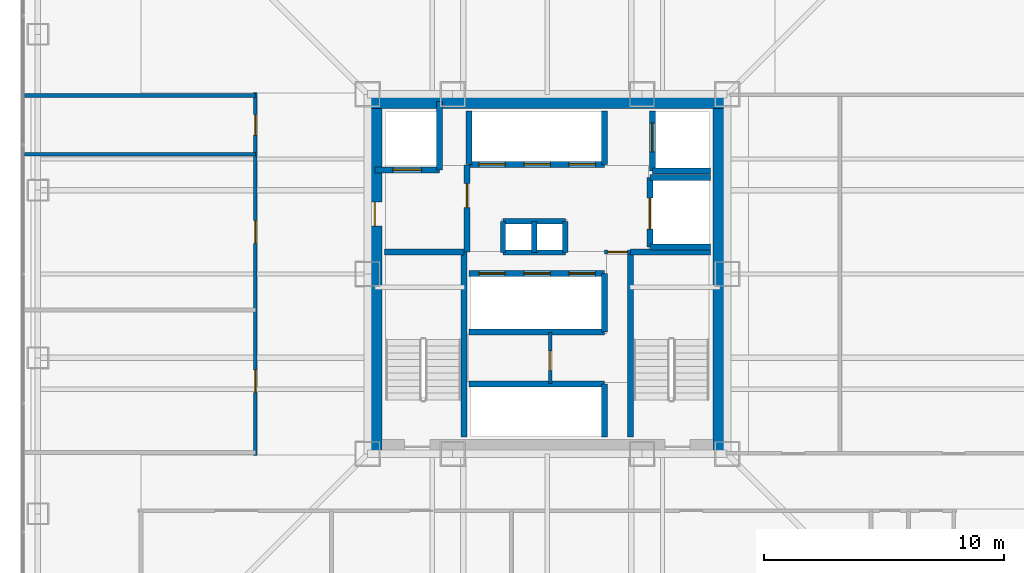
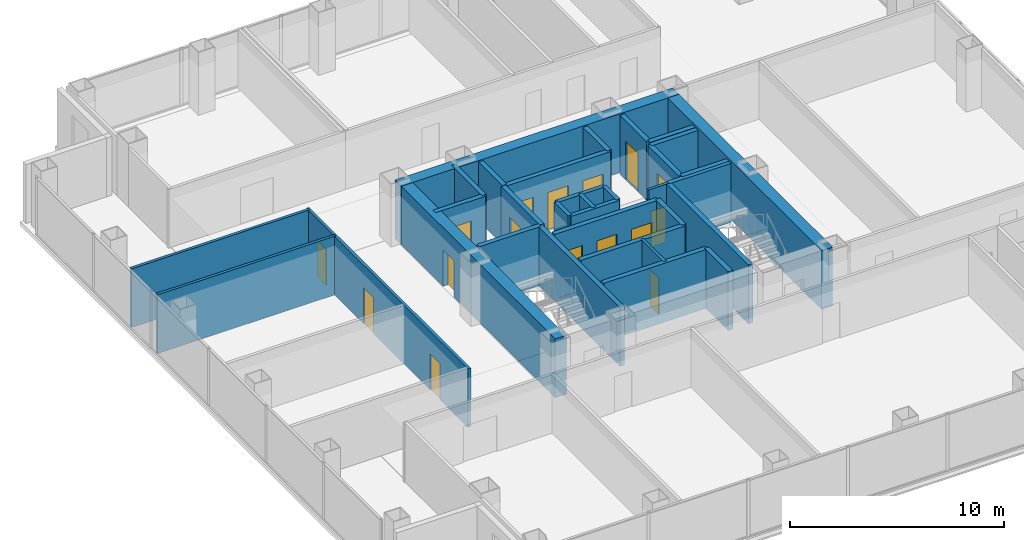
# One storey, part 10 of 14: 33 walls, 16 doors, 16 openings.
"""IFC4 building model written with IfcOpenShell, lengths in metres."""

from ifc_helpers import new_model, si_unit, direction, frame, frame_2d, origin, place, context, subcontext, project, spatial, rectangle, extrude, material, layer, layer_set, type_object, element, fill, save


model = new_model("IFC4")

# Units and contexts
model_context = context("Model", 3, precision=1e-05, world=origin(), true_north=direction((0.0, 1.0)))
body_context = subcontext(model_context, "Body", "Model", "MODEL_VIEW")
ifc_project = project(units=[si_unit("LENGTHUNIT", "METRE"), si_unit("AREAUNIT", "SQUARE_METRE"), si_unit("VOLUMEUNIT", "CUBIC_METRE"), si_unit("PLANEANGLEUNIT", "RADIAN"), si_unit("MASSUNIT", "GRAM", prefix="KILO")], contexts=[model_context])

# Site, building, storey
site_placement = place(None, origin())
site = spatial("IfcSite", under=ifc_project, at=site_placement, CompositionType="ELEMENT")
building_placement = place(site_placement, origin())
building = spatial("IfcBuilding", under=site, at=building_placement, Name="Trevonay Congress Spire", CompositionType="ELEMENT")
storey_placement = place(building_placement, frame((0.0, 0.0, 97.60009765625)))
storey = spatial("IfcBuildingStorey", under=building, at=storey_placement, Name="L24", CompositionType="ELEMENT", Elevation=97.60009765625)

# Wall
ifc_material_1 = material(Name="Concrete C60/75", Category="concrete")
ifc_layer_1 = layer(ifc_material_1, 0.60009765625, Name="Concrete C60/75")
ifc_layer_set_1 = layer_set([ifc_layer_1], Name="Concrete C60/75")
wall_type_1 = type_object("IfcWallType", Name="WAL-CORE-600", PredefinedType="SHEAR", material=ifc_layer_set_1)
wall_1_placement = place(storey_placement, frame((-7.5, 7.199951171875, 0.0), z_axis=(0.0, 0.0, 1.0), x_axis=(1.0, 0.0, 0.0)))
element("IfcWall", 1, at=wall_1_placement, inside=storey, type_object=wall_type_1, Name="L24 North structural core shear wall", PredefinedType="SHEAR", context=body_context, shape_type="SweptSolid", body=[
    extrude(rectangle(XDim=15.0, YDim=0.60009765625, at=frame_2d((7.5, 0.0))), origin(), (0.0, 0.0, 1.0), 3.35986328125),
])

# Wall, opening, door
wall_2_placement = place(storey_placement, frame((-7.199951171875, -7.5, 0.0), z_axis=(0.0, 0.0, 1.0), x_axis=(0.0, 1.0, 0.0)))
wall_2 = element("IfcWall", 2, at=wall_2_placement, inside=storey, type_object=wall_type_1, Name="L24 West structural core shear wall", PredefinedType="SHEAR", context=body_context, shape_type="SweptSolid", body=[
    extrude(rectangle(XDim=15.0, YDim=0.60009765625, at=frame_2d((7.5, 0.0))), origin(), (0.0, 0.0, 1.0), 3.35986328125),
])
opening_1_placement = place(wall_2_placement, frame((9.5, 0.0, 0.0)))
opening_1 = element("IfcOpeningElement", 3, at=opening_1_placement, cuts=wall_2, Name="Opening D06", PredefinedType="OPENING", context=body_context, shape_type="SweptSolid", body=[
    extrude(rectangle(XDim=1.0, YDim=2.080078125, at=frame_2d((0.5, 1.0400390625))), frame((0.0, 0.31005859375, 0.0), z_axis=(0.0, -1.0, 0.0), x_axis=(1.0, 0.0, 0.0)), (0.0, 0.0, 1.0), 0.6201171875),
])
ifc_material_2 = material(Name="Steel ASTM A572 Grade 50", Category="steel")
door_type_1 = type_object("IfcDoorType", Name="DOR-FIRE-100", OperationType="NOTDEFINED", PredefinedType="DOOR", material=ifc_material_2)
door_1_placement = place(opening_1_placement, origin())
door_1 = element("IfcDoor", 4, at=door_1_placement, inside=storey, type_object=door_type_1, Name="L24 Firefighting Lift Lobby West Corridor Door", OperationType="SINGLE_SWING_LEFT", OverallHeight=2.080078125, OverallWidth=1.0, PredefinedType="DOOR", context=body_context, shape_type="SweptSolid", body=[
    extrude(rectangle(XDim=1.0, YDim=2.080078125, at=frame_2d((0.5, 1.0400390625))), frame((0.0, 0.02490234375, 0.0), z_axis=(0.0, -1.0, 0.0), x_axis=(1.0, 0.0, 0.0)), (0.0, 0.0, 1.0), 0.050048828125),
])
fill(opening_1, door_1)

# Wall
wall_3_placement = place(storey_placement, frame((7.199951171875, -7.5, 0.0), z_axis=(0.0, 0.0, 1.0), x_axis=(0.0, 1.0, 0.0)))
element("IfcWall", 5, at=wall_3_placement, inside=storey, type_object=wall_type_1, Name="L24 East structural core shear wall", PredefinedType="SHEAR", context=body_context, shape_type="SweptSolid", body=[
    extrude(rectangle(XDim=15.0, YDim=0.60009765625, at=frame_2d((7.5, 0.0))), origin(), (0.0, 0.0, 1.0), 3.35986328125),
])

# Wall, openings, doors
ifc_material_3 = material(Name="Concrete C40/50", Category="concrete")
ifc_layer_2 = layer(ifc_material_3, 0.14990234375, Name="Concrete C40/50")
ifc_layer_set_2 = layer_set([ifc_layer_2], Name="Concrete C40/50")
wall_type_2 = type_object("IfcWallType", Name="WAL-CORR-150", PredefinedType="PARTITIONING", material=ifc_layer_set_2)
wall_4_placement = place(storey_placement, frame((-12.179931640625, -7.570068359375, 0.0), z_axis=(0.0, 0.0, 1.0), x_axis=(0.0, 1.0, 0.0)))
wall_4 = element("IfcWall", 6, at=wall_4_placement, inside=storey, type_object=wall_type_2, Name="L24 interior wall WP-L24W-COR", PredefinedType="PARTITIONING", context=body_context, shape_type="SweptSolid", body=[
    extrude(rectangle(XDim=15.14013671875, YDim=0.14990234375, at=frame_2d((7.570068359375, 0.0))), origin(), (0.0, 0.0, 1.0), 3.35986328125),
])
opening_2_placement = place(wall_4_placement, frame((2.6201171875, 0.0, 0.0)))
opening_2 = element("IfcOpeningElement", 7, at=opening_2_placement, cuts=wall_4, Name="Opening D07", PredefinedType="OPENING", context=body_context, shape_type="SweptSolid", body=[
    extrude(rectangle(XDim=0.949951171875, YDim=2.06005859375, at=frame_2d((0.47509765625, 1.030029296875))), frame((0.0, 0.0849609375, 0.0), z_axis=(0.0, -1.0, 0.0), x_axis=(1.0, 0.0, 0.0)), (0.0, 0.0, 1.0), 0.169921875),
])
opening_3_placement = place(wall_4_placement, frame((8.844970703125, 0.0, 0.0)))
opening_3 = element("IfcOpeningElement", 8, at=opening_3_placement, cuts=wall_4, Name="Opening D07", PredefinedType="OPENING", context=body_context, shape_type="SweptSolid", body=[
    extrude(rectangle(XDim=0.949951171875, YDim=2.06005859375, at=frame_2d((0.47509765625, 1.030029296875))), frame((0.0, 0.0849609375, 0.0), z_axis=(0.0, -1.0, 0.0), x_axis=(1.0, 0.0, 0.0)), (0.0, 0.0, 1.0), 0.169921875),
])
opening_4_placement = place(wall_4_placement, frame((13.3701171875, 0.0, 0.0)))
opening_4 = element("IfcOpeningElement", 9, at=opening_4_placement, cuts=wall_4, Name="Opening D10", PredefinedType="OPENING", context=body_context, shape_type="SweptSolid", body=[
    extrude(rectangle(XDim=0.85009765625, YDim=2.050048828125, at=frame_2d((0.425048828125, 1.02490234375))), frame((0.0, 0.0849609375, 0.0), z_axis=(0.0, -1.0, 0.0), x_axis=(1.0, 0.0, 0.0)), (0.0, 0.0, 1.0), 0.169921875),
])
ifc_material_4 = material(Name="Pale Anodised Aluminium EN AW-6063-T6", Category="aluminium")
door_type_2 = type_object("IfcDoorType", Name="DOR-OFFICE-95", OperationType="NOTDEFINED", PredefinedType="DOOR", material=ifc_material_4)
door_2_placement = place(opening_2_placement, origin())
door_2 = element("IfcDoor", 10, at=door_2_placement, inside=storey, type_object=door_type_2, Name="L24 Delegation Caucus Room West Door", OperationType="SINGLE_SWING_LEFT", OverallHeight=2.06005859375, OverallWidth=0.949951171875, PredefinedType="DOOR", context=body_context, shape_type="SweptSolid", body=[
    extrude(rectangle(XDim=0.949951171875, YDim=2.06005859375, at=frame_2d((0.47509765625, 1.030029296875))), frame((0.0, 0.02490234375, 0.0), z_axis=(0.0, -1.0, 0.0), x_axis=(1.0, 0.0, 0.0)), (0.0, 0.0, 1.0), 0.050048828125),
])
fill(opening_2, door_2)
door_3_placement = place(opening_3_placement, origin())
door_3 = element("IfcDoor", 11, at=door_3_placement, inside=storey, type_object=door_type_2, Name="L24 Rapporteur Drafting Office Door", OperationType="SINGLE_SWING_RIGHT", OverallHeight=2.06005859375, OverallWidth=0.949951171875, PredefinedType="DOOR", context=body_context, shape_type="SweptSolid", body=[
    extrude(rectangle(XDim=0.949951171875, YDim=2.06005859375, at=frame_2d((0.47509765625, 1.030029296875))), frame((0.0, 0.02490234375, 0.0), z_axis=(0.0, -1.0, 0.0), x_axis=(1.0, 0.0, 0.0)), (0.0, 0.0, 1.0), 0.050048828125),
])
fill(opening_3, door_3)
door_type_3 = type_object("IfcDoorType", Name="DOR-WC-85", OperationType="NOTDEFINED", PredefinedType="DOOR", material=ifc_material_4)
door_4_placement = place(opening_4_placement, origin())
door_4 = element("IfcDoor", 12, at=door_4_placement, inside=storey, type_object=door_type_3, Name="L24 Male Restroom WC Door", OperationType="SINGLE_SWING_LEFT", OverallHeight=2.050048828125, OverallWidth=0.85009765625, PredefinedType="DOOR", context=body_context, shape_type="SweptSolid", body=[
    extrude(rectangle(XDim=0.85009765625, YDim=2.050048828125, at=frame_2d((0.425048828125, 1.02490234375))), frame((0.0, 0.02490234375, 0.0), z_axis=(0.0, -1.0, 0.0), x_axis=(1.0, 0.0, 0.0)), (0.0, 0.0, 1.0), 0.050048828125),
])
fill(opening_4, door_4)

# Wall, opening, door
ifc_layer_3 = layer(ifc_material_3, 0.14990234375, Name="Concrete C40/50")
ifc_layer_set_3 = layer_set([ifc_layer_3], Name="Concrete C40/50")
wall_type_3 = type_object("IfcWallType", Name="WAL-PART-150", PredefinedType="PARTITIONING", material=ifc_layer_set_3)
wall_5_placement = place(storey_placement, frame((2.3798828125, 0.919921875, 0.0), z_axis=(0.0, 0.0, 1.0), x_axis=(1.0, 0.0, 0.0)))
wall_5 = element("IfcWall", 13, at=wall_5_placement, inside=storey, type_object=wall_type_3, Name="L24 interior wall CW-CSRV-N-L24", PredefinedType="PARTITIONING", context=body_context, shape_type="SweptSolid", body=[
    extrude(rectangle(XDim=1.090087890625, YDim=0.14990234375, at=frame_2d((0.544921875, 0.0))), origin(), (0.0, 0.0, 1.0), 3.35986328125),
])
opening_5_placement = place(wall_5_placement, frame((0.135009765625, 0.0, 0.0)))
opening_5 = element("IfcOpeningElement", 14, at=opening_5_placement, cuts=wall_5, Name="Opening D13", PredefinedType="OPENING", context=body_context, shape_type="SweptSolid", body=[
    extrude(rectangle(XDim=0.820068359375, YDim=2.050048828125, at=frame_2d((0.41015625, 1.02490234375))), frame((0.0, 0.0849609375, 0.0), z_axis=(0.0, -1.0, 0.0), x_axis=(1.0, 0.0, 0.0)), (0.0, 0.0, 1.0), 0.169921875),
])
door_type_4 = type_object("IfcDoorType", Name="DOR-UTIL-80", OperationType="NOTDEFINED", PredefinedType="DOOR", material=ifc_material_2)
door_5_placement = place(opening_5_placement, origin())
door_5 = element("IfcDoor", 15, at=door_5_placement, inside=storey, type_object=door_type_4, Name="L24 Core Service Pocket Door", OperationType="SINGLE_SWING_LEFT", OverallHeight=2.050048828125, OverallWidth=0.820068359375, PredefinedType="DOOR", context=body_context, shape_type="SweptSolid", body=[
    extrude(rectangle(XDim=0.820068359375, YDim=2.050048828125, at=frame_2d((0.41015625, 1.02490234375))), frame((0.0, 0.02490234375, 0.0), z_axis=(0.0, -1.0, 0.0), x_axis=(1.0, 0.0, 0.0)), (0.0, 0.0, 1.0), 0.050048828125),
])
fill(opening_5, door_5)

wall_6_placement = place(storey_placement, frame((0.1201171875, -4.570068359375, 0.0), z_axis=(0.0, 0.0, 1.0), x_axis=(0.0, 1.0, 0.0)))
wall_6 = element("IfcWall", 16, at=wall_6_placement, inside=storey, type_object=wall_type_3, Name="L24 interior wall CW-K1-L24", PredefinedType="PARTITIONING", context=body_context, shape_type="SweptSolid", body=[
    extrude(rectangle(XDim=2.14013671875, YDim=0.14990234375, at=frame_2d((1.070068359375, 0.0))), origin(), (0.0, 0.0, 1.0), 3.35986328125),
])
opening_6_placement = place(wall_6_placement, frame((0.550048828125, 0.0, 0.0)))
opening_6 = element("IfcOpeningElement", 17, at=opening_6_placement, cuts=wall_6, Name="Opening D13", PredefinedType="OPENING", context=body_context, shape_type="SweptSolid", body=[
    extrude(rectangle(XDim=0.820068359375, YDim=2.050048828125, at=frame_2d((0.41015625, 1.02490234375))), frame((0.0, 0.0849609375, 0.0), z_axis=(0.0, -1.0, 0.0), x_axis=(1.0, 0.0, 0.0)), (0.0, 0.0, 1.0), 0.169921875),
])
door_6_placement = place(opening_6_placement, origin())
door_6 = element("IfcDoor", 18, at=door_6_placement, inside=storey, type_object=door_type_4, Name="L24 Core Closet Door", OperationType="SINGLE_SWING_RIGHT", OverallHeight=2.050048828125, OverallWidth=0.820068359375, PredefinedType="DOOR", context=body_context, shape_type="SweptSolid", body=[
    extrude(rectangle(XDim=0.820068359375, YDim=2.050048828125, at=frame_2d((0.41015625, 1.02490234375))), frame((0.0, 0.02490234375, 0.0), z_axis=(0.0, -1.0, 0.0), x_axis=(1.0, 0.0, 0.0)), (0.0, 0.0, 1.0), 0.050048828125),
])
fill(opening_6, door_6)

# Walls
for number, where, z_axis, x_axis, name in (
    (19, (-21.820068359375, 5.0, 0.0), (0.0, 0.0, 1.0), (1.0, 0.0, 0.0), "L24 interior wall WP-L24W-DIV3"),
    (20, (-21.820068359375, 7.449951171875, 0.0), (0.0, 0.0, 1.0), (1.0, 0.0, 0.0), "L24 interior wall WP-L24W-DIV4"),
):
    element("IfcWall", number, at=place(storey_placement, frame(where, z_axis=z_axis, x_axis=x_axis)), inside=storey, type_object=wall_type_3, Name=name, PredefinedType="PARTITIONING", context=body_context, shape_type="SweptSolid", body=[
        extrude(rectangle(XDim=9.64013671875, YDim=0.14990234375, at=frame_2d((4.820068359375, 0.0))), origin(), (0.0, 0.0, 1.0), 3.35986328125),
    ])
ifc_layer_4 = layer(ifc_material_3, 0.219970703125, Name="Concrete C40/50")
ifc_layer_set_4 = layer_set([ifc_layer_4], Name="Concrete C40/50")
wall_type_4 = type_object("IfcWallType", Name="WAL-SHAFT-220", PredefinedType="PARTITIONING", material=ifc_layer_set_4)
for number, where, z_axis, x_axis, name in (
    (21, (-1.85009765625, 2.199951171875, 0.0), (0.0, 0.0, 1.0), (1.0, 0.0, 0.0), "L24 interior shaft wall WSH-L24-RSR-N"),
    (22, (-1.85009765625, 0.89990234375, 0.0), (0.0, 0.0, 1.0), (1.0, 0.0, 0.0), "L24 interior shaft wall WSH-L24-RSR-S"),
):
    element("IfcWall", number, at=place(storey_placement, frame(where, z_axis=z_axis, x_axis=x_axis)), inside=storey, type_object=wall_type_4, Name=name, PredefinedType="PARTITIONING", context=body_context, shape_type="SweptSolid", body=[
        extrude(rectangle(XDim=2.60009765625, YDim=0.219970703125, at=frame_2d((1.300048828125, 0.0))), origin(), (0.0, 0.0, 1.0), 3.35986328125),
    ])
for number, where, z_axis, x_axis, name in (
    (23, (-0.550048828125, 0.89990234375, 0.0), (0.0, 0.0, 1.0), (0.0, 1.0, 0.0), "L24 interior shaft wall WSH-L24-RSR-M"),
    (24, (0.75, 0.89990234375, 0.0), (0.0, 0.0, 1.0), (0.0, 1.0, 0.0), "L24 interior shaft wall WSH-L24-RSR-E"),
    (25, (-1.85009765625, 0.89990234375, 0.0), (0.0, 0.0, 1.0), (0.0, 1.0, 0.0), "L24 interior shaft wall WSH-L24-RSR-W"),
):
    element("IfcWall", number, at=place(storey_placement, frame(where, z_axis=z_axis, x_axis=x_axis)), inside=storey, type_object=wall_type_4, Name=name, PredefinedType="PARTITIONING", context=body_context, shape_type="SweptSolid", body=[
        extrude(rectangle(XDim=1.300048828125, YDim=0.219970703125, at=frame_2d((0.64990234375, 0.0))), origin(), (0.0, 0.0, 1.0), 3.35986328125),
    ])
ifc_layer_5 = layer(ifc_material_3, 0.25, Name="Concrete C40/50")
ifc_layer_set_5 = layer_set([ifc_layer_5], Name="Concrete C40/50")
wall_type_5 = type_object("IfcWallType", Name="WAL-SHAFT-250", PredefinedType="SHEAR", material=ifc_layer_set_5)
wall_7_placement = place(storey_placement, frame((-3.260009765625, -4.580078125, 0.0), z_axis=(0.0, 0.0, 1.0), x_axis=(1.0, 0.0, 0.0)))
element("IfcWall", 26, at=wall_7_placement, inside=storey, type_object=wall_type_5, Name="L24 interior shaft wall WSH-L24-B1-N", PredefinedType="SHEAR", context=body_context, shape_type="SweptSolid", body=[
    extrude(rectangle(XDim=5.639892578125, YDim=0.25, at=frame_2d((2.81982421875, 0.0))), origin(), (0.0, 0.0, 1.0), 3.35986328125),
])
wall_8_placement = place(storey_placement, frame((2.3798828125, -6.800048828125, 0.0), z_axis=(0.0, 0.0, 1.0), x_axis=(0.0, 1.0, 0.0)))
element("IfcWall", 27, at=wall_8_placement, inside=storey, type_object=wall_type_5, Name="L24 interior shaft wall WSH-L24-B1-E", PredefinedType="SHEAR", context=body_context, shape_type="SweptSolid", body=[
    extrude(rectangle(XDim=2.219970703125, YDim=0.25, at=frame_2d((1.10986328125, 0.0))), origin(), (0.0, 0.0, 1.0), 3.35986328125),
])

# Wall, openings, doors
wall_9_placement = place(storey_placement, frame((-3.260009765625, 0.02001953125, 0.0), z_axis=(0.0, 0.0, 1.0), x_axis=(1.0, 0.0, 0.0)))
wall_9 = element("IfcWall", 28, at=wall_9_placement, inside=storey, type_object=wall_type_5, Name="L24 interior shaft wall WSH-L24-B2-N", PredefinedType="SHEAR", context=body_context, shape_type="SweptSolid", body=[
    extrude(rectangle(XDim=5.639892578125, YDim=0.25, at=frame_2d((2.81982421875, 0.0))), origin(), (0.0, 0.0, 1.0), 3.35986328125),
])
opening_7_placement = place(wall_9_placement, frame((0.39990234375, 0.0, 0.0)))
opening_7 = element("IfcOpeningElement", 29, at=opening_7_placement, cuts=wall_9, Name="Opening LD02", PredefinedType="OPENING", context=body_context, shape_type="SweptSolid", body=[
    extrude(rectangle(XDim=1.10009765625, YDim=2.199951171875, at=frame_2d((0.550048828125, 1.10009765625))), frame((0.0, 0.135009765625, 0.0), z_axis=(0.0, -1.0, 0.0), x_axis=(1.0, 0.0, 0.0)), (0.0, 0.0, 1.0), 0.27001953125),
])
opening_8_placement = place(wall_9_placement, frame((2.280029296875, 0.0, 0.0)))
opening_8 = element("IfcOpeningElement", 30, at=opening_8_placement, cuts=wall_9, Name="Opening LD02", PredefinedType="OPENING", context=body_context, shape_type="SweptSolid", body=[
    extrude(rectangle(XDim=1.10009765625, YDim=2.199951171875, at=frame_2d((0.550048828125, 1.10009765625))), frame((0.0, 0.135009765625, 0.0), z_axis=(0.0, -1.0, 0.0), x_axis=(1.0, 0.0, 0.0)), (0.0, 0.0, 1.0), 0.27001953125),
])
opening_9_placement = place(wall_9_placement, frame((4.159912109375, 0.0, 0.0)))
opening_9 = element("IfcOpeningElement", 31, at=opening_9_placement, cuts=wall_9, Name="Opening LD02", PredefinedType="OPENING", context=body_context, shape_type="SweptSolid", body=[
    extrude(rectangle(XDim=1.10009765625, YDim=2.199951171875, at=frame_2d((0.550048828125, 1.10009765625))), frame((0.0, 0.135009765625, 0.0), z_axis=(0.0, -1.0, 0.0), x_axis=(1.0, 0.0, 0.0)), (0.0, 0.0, 1.0), 0.27001953125),
])
door_type_5 = type_object("IfcDoorType", Name="DOR-LIFT-LD02", OperationType="DOUBLE_DOOR_SLIDING", PredefinedType="DOOR", material=ifc_material_4)
door_7_placement = place(opening_7_placement, origin())
door_7 = element("IfcDoor", 32, at=door_7_placement, inside=storey, type_object=door_type_5, Name="L24 Passenger lift PL-04 landing door", OperationType="DOUBLE_DOOR_SLIDING", OverallHeight=2.199951171875, OverallWidth=1.10009765625, PredefinedType="DOOR", context=body_context, shape_type="SweptSolid", body=[
    extrude(rectangle(XDim=1.10009765625, YDim=2.199951171875, at=frame_2d((0.550048828125, 1.10009765625))), frame((0.0, 0.02490234375, 0.0), z_axis=(0.0, -1.0, 0.0), x_axis=(1.0, 0.0, 0.0)), (0.0, 0.0, 1.0), 0.050048828125),
])
fill(opening_7, door_7)
door_8_placement = place(opening_8_placement, origin())
door_8 = element("IfcDoor", 33, at=door_8_placement, inside=storey, type_object=door_type_5, Name="L24 Passenger lift PL-05 landing door", OperationType="DOUBLE_DOOR_SLIDING", OverallHeight=2.199951171875, OverallWidth=1.10009765625, PredefinedType="DOOR", context=body_context, shape_type="SweptSolid", body=[
    extrude(rectangle(XDim=1.10009765625, YDim=2.199951171875, at=frame_2d((0.550048828125, 1.10009765625))), frame((0.0, 0.02490234375, 0.0), z_axis=(0.0, -1.0, 0.0), x_axis=(1.0, 0.0, 0.0)), (0.0, 0.0, 1.0), 0.050048828125),
])
fill(opening_8, door_8)
door_9_placement = place(opening_9_placement, origin())
door_9 = element("IfcDoor", 34, at=door_9_placement, inside=storey, type_object=door_type_5, Name="L24 Passenger lift PL-06 landing door", OperationType="DOUBLE_DOOR_SLIDING", OverallHeight=2.199951171875, OverallWidth=1.10009765625, PredefinedType="DOOR", context=body_context, shape_type="SweptSolid", body=[
    extrude(rectangle(XDim=1.10009765625, YDim=2.199951171875, at=frame_2d((0.550048828125, 1.10009765625))), frame((0.0, 0.02490234375, 0.0), z_axis=(0.0, -1.0, 0.0), x_axis=(1.0, 0.0, 0.0)), (0.0, 0.0, 1.0), 0.050048828125),
])
fill(opening_9, door_9)

# Walls
wall_10_placement = place(storey_placement, frame((-3.260009765625, -2.419921875, 0.0), z_axis=(0.0, 0.0, 1.0), x_axis=(1.0, 0.0, 0.0)))
element("IfcWall", 35, at=wall_10_placement, inside=storey, type_object=wall_type_5, Name="L24 interior shaft wall WSH-L24-B2-S", PredefinedType="SHEAR", context=body_context, shape_type="SweptSolid", body=[
    extrude(rectangle(XDim=5.639892578125, YDim=0.25, at=frame_2d((2.81982421875, 0.0))), origin(), (0.0, 0.0, 1.0), 3.35986328125),
])
wall_11_placement = place(storey_placement, frame((2.3798828125, -2.419921875, 0.0), z_axis=(0.0, 0.0, 1.0), x_axis=(0.0, 1.0, 0.0)))
element("IfcWall", 36, at=wall_11_placement, inside=storey, type_object=wall_type_5, Name="L24 interior shaft wall WSH-L24-B2-E", PredefinedType="SHEAR", context=body_context, shape_type="SweptSolid", body=[
    extrude(rectangle(XDim=2.43994140625, YDim=0.25, at=frame_2d((1.219970703125, 0.0))), origin(), (0.0, 0.0, 1.0), 3.35986328125),
])

# Wall, openings, doors
wall_12_placement = place(storey_placement, frame((-3.260009765625, 4.580078125, 0.0), z_axis=(0.0, 0.0, 1.0), x_axis=(1.0, 0.0, 0.0)))
wall_12 = element("IfcWall", 37, at=wall_12_placement, inside=storey, type_object=wall_type_5, Name="L24 interior shaft wall WSH-L24-B3-S", PredefinedType="SHEAR", context=body_context, shape_type="SweptSolid", body=[
    extrude(rectangle(XDim=5.639892578125, YDim=0.25, at=frame_2d((2.81982421875, 0.0))), origin(), (0.0, 0.0, 1.0), 3.35986328125),
])
opening_10_placement = place(wall_12_placement, frame((0.39990234375, 0.0, 0.0)))
opening_10 = element("IfcOpeningElement", 38, at=opening_10_placement, cuts=wall_12, Name="Opening LD03", PredefinedType="OPENING", context=body_context, shape_type="SweptSolid", body=[
    extrude(rectangle(XDim=1.10009765625, YDim=2.199951171875, at=frame_2d((0.550048828125, 1.10009765625))), frame((0.0, 0.135009765625, 0.0), z_axis=(0.0, -1.0, 0.0), x_axis=(1.0, 0.0, 0.0)), (0.0, 0.0, 1.0), 0.27001953125),
])
opening_11_placement = place(wall_12_placement, frame((2.280029296875, 0.0, 0.0)))
opening_11 = element("IfcOpeningElement", 39, at=opening_11_placement, cuts=wall_12, Name="Opening LD03", PredefinedType="OPENING", context=body_context, shape_type="SweptSolid", body=[
    extrude(rectangle(XDim=1.10009765625, YDim=2.199951171875, at=frame_2d((0.550048828125, 1.10009765625))), frame((0.0, 0.135009765625, 0.0), z_axis=(0.0, -1.0, 0.0), x_axis=(1.0, 0.0, 0.0)), (0.0, 0.0, 1.0), 0.27001953125),
])
opening_12_placement = place(wall_12_placement, frame((4.159912109375, 0.0, 0.0)))
opening_12 = element("IfcOpeningElement", 40, at=opening_12_placement, cuts=wall_12, Name="Opening LD03", PredefinedType="OPENING", context=body_context, shape_type="SweptSolid", body=[
    extrude(rectangle(XDim=1.10009765625, YDim=2.199951171875, at=frame_2d((0.550048828125, 1.10009765625))), frame((0.0, 0.135009765625, 0.0), z_axis=(0.0, -1.0, 0.0), x_axis=(1.0, 0.0, 0.0)), (0.0, 0.0, 1.0), 0.27001953125),
])
door_type_6 = type_object("IfcDoorType", Name="DOR-LIFT-LD03", OperationType="DOUBLE_DOOR_SLIDING", PredefinedType="DOOR", material=ifc_material_4)
door_10_placement = place(opening_10_placement, origin())
door_10 = element("IfcDoor", 41, at=door_10_placement, inside=storey, type_object=door_type_6, Name="L24 Passenger lift PL-07 landing door", OperationType="DOUBLE_DOOR_SLIDING", OverallHeight=2.199951171875, OverallWidth=1.10009765625, PredefinedType="DOOR", context=body_context, shape_type="SweptSolid", body=[
    extrude(rectangle(XDim=1.10009765625, YDim=2.199951171875, at=frame_2d((0.550048828125, 1.10009765625))), frame((0.0, 0.02490234375, 0.0), z_axis=(0.0, -1.0, 0.0), x_axis=(1.0, 0.0, 0.0)), (0.0, 0.0, 1.0), 0.050048828125),
])
fill(opening_10, door_10)
door_11_placement = place(opening_11_placement, origin())
door_11 = element("IfcDoor", 42, at=door_11_placement, inside=storey, type_object=door_type_6, Name="L24 Passenger lift PL-08 landing door", OperationType="DOUBLE_DOOR_SLIDING", OverallHeight=2.199951171875, OverallWidth=1.10009765625, PredefinedType="DOOR", context=body_context, shape_type="SweptSolid", body=[
    extrude(rectangle(XDim=1.10009765625, YDim=2.199951171875, at=frame_2d((0.550048828125, 1.10009765625))), frame((0.0, 0.02490234375, 0.0), z_axis=(0.0, -1.0, 0.0), x_axis=(1.0, 0.0, 0.0)), (0.0, 0.0, 1.0), 0.050048828125),
])
fill(opening_11, door_11)
door_12_placement = place(opening_12_placement, origin())
door_12 = element("IfcDoor", 43, at=door_12_placement, inside=storey, type_object=door_type_6, Name="L24 Passenger lift PL-09 landing door", OperationType="DOUBLE_DOOR_SLIDING", OverallHeight=2.199951171875, OverallWidth=1.10009765625, PredefinedType="DOOR", context=body_context, shape_type="SweptSolid", body=[
    extrude(rectangle(XDim=1.10009765625, YDim=2.199951171875, at=frame_2d((0.550048828125, 1.10009765625))), frame((0.0, 0.02490234375, 0.0), z_axis=(0.0, -1.0, 0.0), x_axis=(1.0, 0.0, 0.0)), (0.0, 0.0, 1.0), 0.050048828125),
])
fill(opening_12, door_12)

# Walls
for number, where, z_axis, x_axis, name in (
    (44, (-3.260009765625, 4.580078125, 0.0), (0.0, 0.0, 1.0), (0.0, 1.0, 0.0), "L24 interior shaft wall WSH-L24-B3-W"),
    (45, (2.3798828125, 4.580078125, 0.0), (0.0, 0.0, 1.0), (0.0, 1.0, 0.0), "L24 interior shaft wall WSH-L24-B3-E"),
):
    element("IfcWall", number, at=place(storey_placement, frame(where, z_axis=z_axis, x_axis=x_axis)), inside=storey, type_object=wall_type_5, Name=name, PredefinedType="SHEAR", context=body_context, shape_type="SweptSolid", body=[
        extrude(rectangle(XDim=2.219970703125, YDim=0.25, at=frame_2d((1.10986328125, 0.0))), origin(), (0.0, 0.0, 1.0), 3.35986328125),
    ])

# Wall, opening, door
wall_13_placement = place(storey_placement, frame((-7.199951171875, 4.35009765625, 0.0), z_axis=(0.0, 0.0, 1.0), x_axis=(1.0, 0.0, 0.0)))
wall_13 = element("IfcWall", 46, at=wall_13_placement, inside=storey, type_object=wall_type_5, Name="L24 interior shaft wall WSH-L24-FF1-S", PredefinedType="SHEAR", context=body_context, shape_type="SweptSolid", body=[
    extrude(rectangle(XDim=2.699951171875, YDim=0.25, at=frame_2d((1.35009765625, 0.0))), origin(), (0.0, 0.0, 1.0), 3.35986328125),
])
opening_13_placement = place(wall_13_placement, frame((0.75, 0.0, 0.0)))
opening_13 = element("IfcOpeningElement", 47, at=opening_13_placement, cuts=wall_13, Name="Opening LD04", PredefinedType="OPENING", context=body_context, shape_type="SweptSolid", body=[
    extrude(rectangle(XDim=1.199951171875, YDim=2.199951171875, at=frame_2d((0.60009765625, 1.10009765625))), frame((0.0, 0.135009765625, 0.0), z_axis=(0.0, -1.0, 0.0), x_axis=(1.0, 0.0, 0.0)), (0.0, 0.0, 1.0), 0.27001953125),
])
door_type_7 = type_object("IfcDoorType", Name="DOR-LIFT-LD04", OperationType="DOUBLE_DOOR_SLIDING", PredefinedType="DOOR", material=ifc_material_2)
door_13_placement = place(opening_13_placement, origin())
door_13 = element("IfcDoor", 48, at=door_13_placement, inside=storey, type_object=door_type_7, Name="L24 Firefighting lift FFL-01 landing door", OperationType="DOUBLE_DOOR_SLIDING", OverallHeight=2.199951171875, OverallWidth=1.199951171875, PredefinedType="DOOR", context=body_context, shape_type="SweptSolid", body=[
    extrude(rectangle(XDim=1.199951171875, YDim=2.199951171875, at=frame_2d((0.60009765625, 1.10009765625))), frame((0.0, 0.02490234375, 0.0), z_axis=(0.0, -1.0, 0.0), x_axis=(1.0, 0.0, 0.0)), (0.0, 0.0, 1.0), 0.050048828125),
])
fill(opening_13, door_13)

# Walls
wall_14_placement = place(storey_placement, frame((-4.5, 4.35009765625, 0.0), z_axis=(0.0, 0.0, 1.0), x_axis=(0.0, 1.0, 0.0)))
element("IfcWall", 49, at=wall_14_placement, inside=storey, type_object=wall_type_5, Name="L24 interior shaft wall WSH-L24-FF1-E", PredefinedType="SHEAR", context=body_context, shape_type="SweptSolid", body=[
    extrude(rectangle(XDim=2.849853515625, YDim=0.25, at=frame_2d((1.4248046875, 0.0))), origin(), (0.0, 0.0, 1.0), 3.35986328125),
])
wall_15_placement = place(storey_placement, frame((4.3798828125, 4.300048828125, 0.0), z_axis=(0.0, 0.0, 1.0), x_axis=(1.0, 0.0, 0.0)))
element("IfcWall", 50, at=wall_15_placement, inside=storey, type_object=wall_type_5, Name="L24 interior shaft wall WSH-L24-FF2-S", PredefinedType="SHEAR", context=body_context, shape_type="SweptSolid", body=[
    extrude(rectangle(XDim=2.420166015625, YDim=0.25, at=frame_2d((1.2099609375, 0.0))), origin(), (0.0, 0.0, 1.0), 3.35986328125),
])

# Wall, opening, door
wall_16_placement = place(storey_placement, frame((4.3798828125, 4.300048828125, 0.0), z_axis=(0.0, 0.0, 1.0), x_axis=(0.0, 1.0, 0.0)))
wall_16 = element("IfcWall", 51, at=wall_16_placement, inside=storey, type_object=wall_type_5, Name="L24 interior shaft wall WSH-L24-FF2-W", PredefinedType="SHEAR", context=body_context, shape_type="SweptSolid", body=[
    extrude(rectangle(XDim=2.5, YDim=0.25, at=frame_2d((1.25, 0.0))), origin(), (0.0, 0.0, 1.0), 3.35986328125),
])
opening_14_placement = place(wall_16_placement, frame((0.800048828125, 0.0, 0.0)))
opening_14 = element("IfcOpeningElement", 52, at=opening_14_placement, cuts=wall_16, Name="Opening LD04", PredefinedType="OPENING", context=body_context, shape_type="SweptSolid", body=[
    extrude(rectangle(XDim=1.199951171875, YDim=2.199951171875, at=frame_2d((0.60009765625, 1.10009765625))), frame((0.0, 0.135009765625, 0.0), z_axis=(0.0, -1.0, 0.0), x_axis=(1.0, 0.0, 0.0)), (0.0, 0.0, 1.0), 0.27001953125),
])
door_14_placement = place(opening_14_placement, origin())
door_14 = element("IfcDoor", 53, at=door_14_placement, inside=storey, type_object=door_type_7, Name="L24 Firefighting lift FFL-02 landing door", OperationType="DOUBLE_DOOR_SLIDING", OverallHeight=2.199951171875, OverallWidth=1.199951171875, PredefinedType="DOOR", context=body_context, shape_type="SweptSolid", body=[
    extrude(rectangle(XDim=1.199951171875, YDim=2.199951171875, at=frame_2d((0.60009765625, 1.10009765625))), frame((0.0, 0.02490234375, 0.0), z_axis=(0.0, -1.0, 0.0), x_axis=(1.0, 0.0, 0.0)), (0.0, 0.0, 1.0), 0.050048828125),
])
fill(opening_14, door_14)

wall_17_placement = place(storey_placement, frame((4.280029296875, 1.1201171875, 0.0), z_axis=(0.0, 0.0, 1.0), x_axis=(0.0, 1.0, 0.0)))
wall_17 = element("IfcWall", 54, at=wall_17_placement, inside=storey, type_object=wall_type_5, Name="L24 interior shaft wall WSH-L24-SV-W", PredefinedType="SHEAR", context=body_context, shape_type="SweptSolid", body=[
    extrude(rectangle(XDim=2.89990234375, YDim=0.25, at=frame_2d((1.449951171875, 0.0))), origin(), (0.0, 0.0, 1.0), 3.35986328125),
])
opening_15_placement = place(wall_17_placement, frame((0.75, 0.0, 0.0)))
opening_15 = element("IfcOpeningElement", 55, at=opening_15_placement, cuts=wall_17, Name="Opening LD05", PredefinedType="OPENING", context=body_context, shape_type="SweptSolid", body=[
    extrude(rectangle(XDim=1.300048828125, YDim=2.300048828125, at=frame_2d((0.64990234375, 1.14990234375))), frame((0.0, 0.135009765625, 0.0), z_axis=(0.0, -1.0, 0.0), x_axis=(1.0, 0.0, 0.0)), (0.0, 0.0, 1.0), 0.27001953125),
])
door_type_8 = type_object("IfcDoorType", Name="DOR-LIFT-LD05", OperationType="DOUBLE_DOOR_SLIDING", PredefinedType="DOOR", material=ifc_material_2)
door_15_placement = place(opening_15_placement, origin())
door_15 = element("IfcDoor", 56, at=door_15_placement, inside=storey, type_object=door_type_8, Name="L24 Goods lift SVL-01 landing door", OperationType="DOUBLE_DOOR_SLIDING", OverallHeight=2.300048828125, OverallWidth=1.300048828125, PredefinedType="DOOR", context=body_context, shape_type="SweptSolid", body=[
    extrude(rectangle(XDim=1.300048828125, YDim=2.300048828125, at=frame_2d((0.64990234375, 1.14990234375))), frame((0.0, 0.02490234375, 0.0), z_axis=(0.0, -1.0, 0.0), x_axis=(1.0, 0.0, 0.0)), (0.0, 0.0, 1.0), 0.050048828125),
])
fill(opening_15, door_15)

# Walls
for number, where, z_axis, x_axis, name in (
    (57, (4.280029296875, 1.1201171875, 0.0), (0.0, 0.0, 1.0), (1.0, 0.0, 0.0), "L24 interior shaft wall WSH-L24-SV-S"),
    (58, (4.280029296875, 4.02001953125, 0.0), (0.0, 0.0, 1.0), (1.0, 0.0, 0.0), "L24 interior shaft wall WSH-L24-SV-N"),
):
    element("IfcWall", number, at=place(storey_placement, frame(where, z_axis=z_axis, x_axis=x_axis)), inside=storey, type_object=wall_type_5, Name=name, PredefinedType="SHEAR", context=body_context, shape_type="SweptSolid", body=[
        extrude(rectangle(XDim=2.52001953125, YDim=0.25, at=frame_2d((1.260009765625, 0.0))), origin(), (0.0, 0.0, 1.0), 3.35986328125),
    ])

# Wall, opening, door
wall_18_placement = place(storey_placement, frame((-3.35009765625, 0.919921875, 0.0), z_axis=(0.0, 0.0, 1.0), x_axis=(0.0, 1.0, 0.0)))
wall_18 = element("IfcWall", 59, at=wall_18_placement, inside=storey, type_object=wall_type_5, Name="L24 interior wall CW-FFLW-E-L24", PredefinedType="SHEAR", context=body_context, shape_type="SweptSolid", body=[
    extrude(rectangle(XDim=3.6201171875, YDim=0.25, at=frame_2d((1.81005859375, 0.0))), origin(), (0.0, 0.0, 1.0), 3.35986328125),
])
opening_16_placement = place(wall_18_placement, frame((1.85009765625, 0.0, 0.0)))
opening_16 = element("IfcOpeningElement", 60, at=opening_16_placement, cuts=wall_18, Name="Opening D06", PredefinedType="OPENING", context=body_context, shape_type="SweptSolid", body=[
    extrude(rectangle(XDim=1.0, YDim=2.080078125, at=frame_2d((0.5, 1.0400390625))), frame((0.0, 0.135009765625, 0.0), z_axis=(0.0, -1.0, 0.0), x_axis=(1.0, 0.0, 0.0)), (0.0, 0.0, 1.0), 0.27001953125),
])
door_16_placement = place(opening_16_placement, origin())
door_16 = element("IfcDoor", 61, at=door_16_placement, inside=storey, type_object=door_type_1, Name="L24 Firefighting Core Lobby Transfer Door", OperationType="SINGLE_SWING_RIGHT", OverallHeight=2.080078125, OverallWidth=1.0, PredefinedType="DOOR", context=body_context, shape_type="SweptSolid", body=[
    extrude(rectangle(XDim=1.0, YDim=2.080078125, at=frame_2d((0.5, 1.0400390625))), frame((0.0, 0.02490234375, 0.0), z_axis=(0.0, -1.0, 0.0), x_axis=(1.0, 0.0, 0.0)), (0.0, 0.0, 1.0), 0.050048828125),
])
fill(opening_16, door_16)

# Walls
ifc_layer_6 = layer(ifc_material_3, 0.25, Name="Concrete C40/50")
ifc_layer_set_6 = layer_set([ifc_layer_6], Name="Concrete C40/50")
wall_type_6 = type_object("IfcWallType", Name="WAL-SHAFT-LB-250", PredefinedType="SHEAR", material=ifc_layer_set_6)
wall_19_placement = place(storey_placement, frame((-3.469970703125, -6.800048828125, 0.0), z_axis=(0.0, 0.0, 1.0), x_axis=(0.0, 1.0, 0.0)))
element("IfcWall", 62, at=wall_19_placement, inside=storey, type_object=wall_type_6, Name="L24 interior shaft wall WSH-L24-ST1-E", PredefinedType="SHEAR", context=body_context, shape_type="SweptSolid", body=[
    extrude(rectangle(XDim=7.719970703125, YDim=0.25, at=frame_2d((3.85986328125, 0.0))), origin(), (0.0, 0.0, 1.0), 3.35986328125),
])
wall_20_placement = place(storey_placement, frame((-6.800048828125, 0.919921875, 0.0), z_axis=(0.0, 0.0, 1.0), x_axis=(1.0, 0.0, 0.0)))
element("IfcWall", 63, at=wall_20_placement, inside=storey, type_object=wall_type_6, Name="L24 interior shaft wall WSH-L24-ST1-N", PredefinedType="SHEAR", context=body_context, shape_type="SweptSolid", body=[
    extrude(rectangle(XDim=3.330078125, YDim=0.25, at=frame_2d((1.6650390625, 0.0))), origin(), (0.0, 0.0, 1.0), 3.35986328125),
])
wall_21_placement = place(storey_placement, frame((3.469970703125, -6.800048828125, 0.0), z_axis=(0.0, 0.0, 1.0), x_axis=(0.0, 1.0, 0.0)))
element("IfcWall", 64, at=wall_21_placement, inside=storey, type_object=wall_type_6, Name="L24 interior shaft wall WSH-L24-ST2-W", PredefinedType="SHEAR", context=body_context, shape_type="SweptSolid", body=[
    extrude(rectangle(XDim=7.719970703125, YDim=0.25, at=frame_2d((3.85986328125, 0.0))), origin(), (0.0, 0.0, 1.0), 3.35986328125),
])
wall_22_placement = place(storey_placement, frame((3.469970703125, 0.919921875, 0.0), z_axis=(0.0, 0.0, 1.0), x_axis=(1.0, 0.0, 0.0)))
element("IfcWall", 65, at=wall_22_placement, inside=storey, type_object=wall_type_6, Name="L24 interior shaft wall WSH-L24-ST2-N", PredefinedType="SHEAR", context=body_context, shape_type="SweptSolid", body=[
    extrude(rectangle(XDim=3.330078125, YDim=0.25, at=frame_2d((1.6650390625, 0.0))), origin(), (0.0, 0.0, 1.0), 3.35986328125),
])

save(model, "model.ifc")
